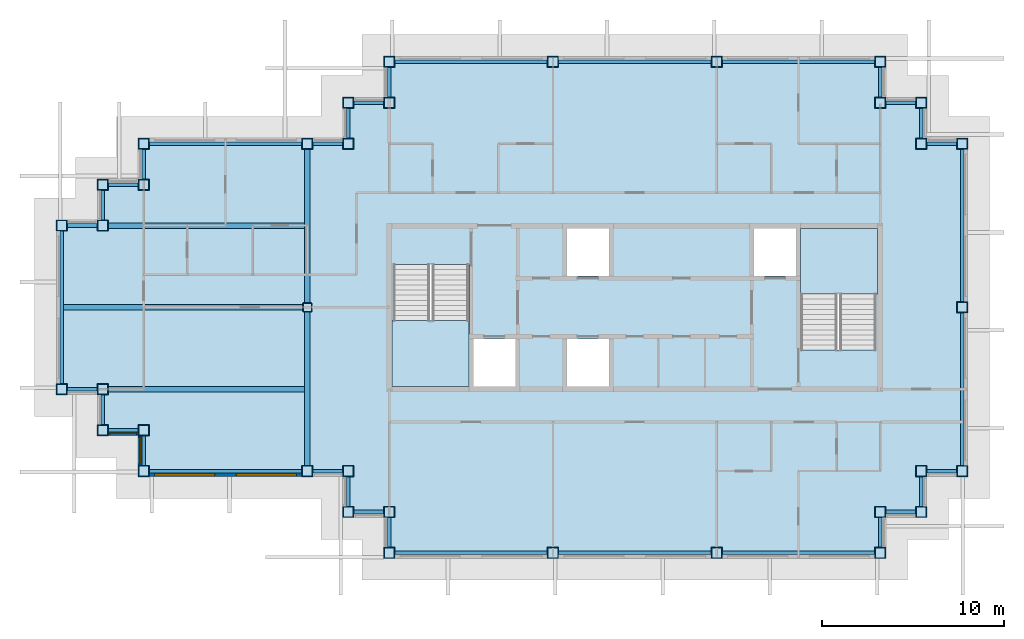
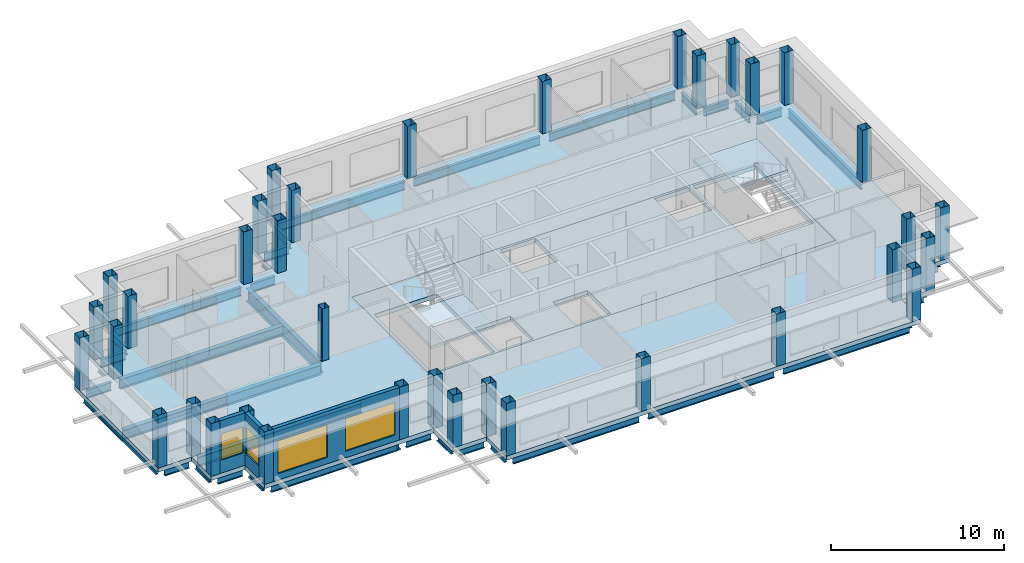
# One storey, part 1 of 11: 40 beams, 36 columns, 4 slabs, 4 windows, 3 walls, 4 openings, 2 elements without a shape of their own.
"""IFC4 building model written with IfcOpenShell, lengths in metres."""

from ifc_helpers import new_model, si_unit, direction, frame, frame_2d, origin, origin_2d, place, context, subcontext, project, spatial, polyline, rectangle, hollow_rectangle, i_section, outline, extrude, material, layer, layer_set, material_profile, profile_set, type_object, element, fill, aggregate, save


model = new_model("IFC4")

# Units and contexts
model_context = context("Model", 3, precision=1e-05, world=origin(), true_north=direction((0.0, 1.0)))
body_context = subcontext(model_context, "Body", "Model", "MODEL_VIEW")
ifc_project = project(units=[si_unit("LENGTHUNIT", "METRE"), si_unit("AREAUNIT", "SQUARE_METRE"), si_unit("VOLUMEUNIT", "CUBIC_METRE"), si_unit("PLANEANGLEUNIT", "RADIAN"), si_unit("MASSUNIT", "GRAM", prefix="KILO")], contexts=[model_context])

# Site, building, storey
site_placement = place(None, origin())
site = spatial("IfcSite", under=ifc_project, at=site_placement, CompositionType="ELEMENT")
building_placement = place(site_placement, origin())
building = spatial("IfcBuilding", under=site, at=building_placement, Name="Caravel Reach Hotel and Residences", CompositionType="ELEMENT")
storey_placement = place(building_placement, frame((0.0, 0.0, 263.800048828125)))
storey = spatial("IfcBuildingStorey", under=building, at=storey_placement, Name="L67", CompositionType="ELEMENT", Elevation=263.800048828125)

# Columns
ifc_material_1 = material(Name="Concrete-filled steel tube Q390B with Concrete C60 infill", Category="concrete")
ifc_material_profile_1 = material_profile(ifc_material_1, hollow_rectangle(XDim=0.5, YDim=0.5, WallThickness=0.01611328125, InnerFilletRadius=0.031982421875, OuterFilletRadius=0.048095703125, at=origin_2d()), Name="RHS 500x500x16")
ifc_profile_set_1 = profile_set([ifc_material_profile_1], Name="Concrete-filled steel tube Q390B with Concrete C60 infill")
column_type_1 = type_object("IfcColumnType", Name="CFT 500x500 Q390B C60", PredefinedType="COLUMN", material=ifc_profile_set_1)
column_placement = place(storey_placement, frame((13.5, 27.0, 0.0), z_axis=(0.0, 0.0, 1.0), x_axis=(1.0, 0.0, 0.0)))
element("IfcColumn", 1, at=column_placement, inside=storey, type_object=column_type_1, Name="C9 column", PredefinedType="COLUMN", context=body_context, shape_type="SweptSolid", body=[
    extrude(hollow_rectangle(XDim=0.5, YDim=0.5, WallThickness=0.01611328125, InnerFilletRadius=0.031982421875, OuterFilletRadius=0.048095703125, at=origin_2d()), origin(), (0.0, 0.0, 1.0), 3.699951171875),
])
ifc_material_2 = material(Name="Concrete-filled steel tube Q390B with Concrete C60 infill", Category="concrete")
ifc_material_profile_2 = material_profile(ifc_material_2, hollow_rectangle(XDim=0.60009765625, YDim=0.60009765625, WallThickness=0.02001953125, at=origin_2d()), Name="RHS 600x600x20")
ifc_profile_set_2 = profile_set([ifc_material_profile_2], Name="Concrete-filled steel tube Q390B with Concrete C60 infill")
column_type_2 = type_object("IfcColumnType", Name="CFT 600x600 Q390B C60", PredefinedType="COLUMN", material=ifc_profile_set_2)
for number, where, z_axis, x_axis, name in (
    (2, (15.75, 18.0, 0.0), (0.0, 0.0, 1.0), (1.0, 0.0, 0.0), "C8 column"),
    (3, (15.75, 15.75, 0.0), (0.0, 0.0, 1.0), (1.0, 0.0, 0.0), "C8 column"),
    (4, (18.0, 15.75, 0.0), (0.0, 0.0, 1.0), (1.0, 0.0, 0.0), "C8 column"),
    (5, (18.0, 13.5, 0.0), (0.0, 0.0, 1.0), (1.0, 0.0, 0.0), "C8 column"),
    (6, (27.0, 13.5, 0.0), (0.0, 0.0, 1.0), (1.0, 0.0, 0.0), "C8 column"),
    (7, (36.0, 13.5, 0.0), (0.0, 0.0, 1.0), (1.0, 0.0, 0.0), "C8 column"),
    (8, (45.0, 13.5, 0.0), (0.0, 0.0, 1.0), (1.0, 0.0, 0.0), "C8 column"),
    (9, (45.0, 15.75, 0.0), (0.0, 0.0, 1.0), (1.0, 0.0, 0.0), "C8 column"),
    (10, (47.25, 15.75, 0.0), (0.0, 0.0, 1.0), (1.0, 0.0, 0.0), "C8 column"),
    (11, (47.25, 18.0, 0.0), (0.0, 0.0, 1.0), (1.0, 0.0, 0.0), "C8 column"),
    (12, (49.5, 18.0, 0.0), (0.0, 0.0, 1.0), (1.0, 0.0, 0.0), "C8 column"),
    (13, (49.5, 27.0, 0.0), (0.0, 0.0, 1.0), (1.0, 0.0, 0.0), "C8 column"),
    (14, (49.5, 36.0, 0.0), (0.0, 0.0, 1.0), (1.0, 0.0, 0.0), "C8 column"),
    (15, (47.25, 36.0, 0.0), (0.0, 0.0, 1.0), (1.0, 0.0, 0.0), "C8 column"),
    (16, (47.25, 38.25, 0.0), (0.0, 0.0, 1.0), (1.0, 0.0, 0.0), "C8 column"),
    (17, (45.0, 38.25, 0.0), (0.0, 0.0, 1.0), (1.0, 0.0, 0.0), "C8 column"),
    (18, (45.0, 40.5, 0.0), (0.0, 0.0, 1.0), (1.0, 0.0, 0.0), "C8 column"),
    (19, (36.0, 40.5, 0.0), (0.0, 0.0, 1.0), (1.0, 0.0, 0.0), "C8 column"),
    (20, (27.0, 40.5, 0.0), (0.0, 0.0, 1.0), (1.0, 0.0, 0.0), "C8 column"),
    (21, (18.0, 40.5, 0.0), (0.0, 0.0, 1.0), (1.0, 0.0, 0.0), "C8 column"),
    (22, (18.0, 38.25, 0.0), (0.0, 0.0, 1.0), (1.0, 0.0, 0.0), "C8 column"),
    (23, (15.75, 38.25, 0.0), (0.0, 0.0, 1.0), (1.0, 0.0, 0.0), "C8 column"),
    (24, (15.75, 36.0, 0.0), (0.0, 0.0, 1.0), (1.0, 0.0, 0.0), "C8 column"),
    (25, (13.5, 36.0, 0.0), (0.0, 0.0, 1.0), (1.0, 0.0, 0.0), "C8 column"),
    (26, (4.5, 36.0, 0.0), (0.0, 0.0, 1.0), (1.0, 0.0, 0.0), "C8 column"),
    (27, (4.5, 33.75, 0.0), (0.0, 0.0, 1.0), (1.0, 0.0, 0.0), "C8 column"),
    (28, (2.25, 33.75, 0.0), (0.0, 0.0, 1.0), (1.0, 0.0, 0.0), "C8 column"),
    (29, (2.25, 31.5, 0.0), (0.0, 0.0, 1.0), (1.0, 0.0, 0.0), "C8 column"),
    (30, (0.0, 31.5, 0.0), (0.0, 0.0, 1.0), (1.0, 0.0, 0.0), "C8 column"),
    (31, (0.0, 22.5, 0.0), (0.0, 0.0, 1.0), (1.0, 0.0, 0.0), "C8 column"),
    (32, (2.25, 22.5, 0.0), (0.0, 0.0, 1.0), (1.0, 0.0, 0.0), "C8 column"),
    (33, (2.25, 20.25, 0.0), (0.0, 0.0, 1.0), (1.0, 0.0, 0.0), "C8 column"),
    (34, (4.5, 20.25, 0.0), (0.0, 0.0, 1.0), (1.0, 0.0, 0.0), "C8 column"),
    (35, (4.5, 18.0, 0.0), (0.0, 0.0, 1.0), (1.0, 0.0, 0.0), "C8 column"),
    (36, (13.5, 18.0, 0.0), (0.0, 0.0, 1.0), (1.0, 0.0, 0.0), "C8 column"),
):
    element("IfcColumn", number, at=place(storey_placement, frame(where, z_axis=z_axis, x_axis=x_axis)), inside=storey, type_object=column_type_2, Name=name, PredefinedType="COLUMN", context=body_context, shape_type="SweptSolid", body=[
        extrude(hollow_rectangle(XDim=0.60009765625, YDim=0.60009765625, WallThickness=0.02001953125, at=origin_2d()), origin(), (0.0, 0.0, 1.0), 3.699951171875),
    ])

# Beams
ifc_material_3 = material(Name="Structural steel Q355B", Category="steel")
ifc_material_profile_3 = material_profile(ifc_material_3, i_section(OverallWidth=0.300048828125, OverallDepth=0.699951171875, WebThickness=0.012939453125, FlangeThickness=0.02392578125, FilletRadius=0.01806640625, at=origin_2d()), Name="HN 700x300x13x24")
ifc_profile_set_3 = profile_set([ifc_material_profile_3], Name="Structural steel Q355B")
beam_type_1 = type_object("IfcBeamType", Name="Beam HN 700x300x13x24", PredefinedType="BEAM", material=ifc_profile_set_3)
beam_1_placement = place(storey_placement, frame((13.39990234375, 22.5, -0.650146484375), z_axis=(-1.0, 0.0, 0.0), x_axis=(0.0, -1.0, 0.0)))
element("IfcBeam", 37, at=beam_1_placement, inside=storey, type_object=beam_type_1, Name="B2 HN 700x300x13x24", PredefinedType="BEAM", context=body_context, shape_type="SweptSolid", body=[
    extrude(i_section(OverallWidth=0.300048828125, OverallDepth=0.699951171875, WebThickness=0.012939453125, FlangeThickness=0.02392578125, FilletRadius=0.01806640625, at=origin_2d()), origin(), (0.0, 0.0, 1.0), 10.89990234375),
])
beam_2_placement = place(storey_placement, frame((13.300048828125, 27.0, -0.650146484375), z_axis=(-1.0, 0.0, 0.0), x_axis=(0.0, -1.0, 0.0)))
element("IfcBeam", 38, at=beam_2_placement, inside=storey, type_object=beam_type_1, Name="B2 HN 700x300x13x24", PredefinedType="BEAM", context=body_context, shape_type="SweptSolid", body=[
    extrude(i_section(OverallWidth=0.300048828125, OverallDepth=0.699951171875, WebThickness=0.012939453125, FlangeThickness=0.02392578125, FilletRadius=0.01806640625, at=origin_2d()), origin(), (0.0, 0.0, 1.0), 13.199951171875),
])
beam_3_placement = place(storey_placement, frame((13.39990234375, 31.5, -0.650146484375), z_axis=(-1.0, 0.0, 0.0), x_axis=(0.0, -1.0, 0.0)))
element("IfcBeam", 39, at=beam_3_placement, inside=storey, type_object=beam_type_1, Name="B2 HN 700x300x13x24", PredefinedType="BEAM", context=body_context, shape_type="SweptSolid", body=[
    extrude(i_section(OverallWidth=0.300048828125, OverallDepth=0.699951171875, WebThickness=0.012939453125, FlangeThickness=0.02392578125, FilletRadius=0.01806640625, at=origin_2d()), origin(), (0.0, 0.0, 1.0), 10.89990234375),
])
ifc_material_4 = material(Name="Structural steel Q355B", Category="steel")
ifc_material_profile_4 = material_profile(ifc_material_4, i_section(OverallWidth=0.300048828125, OverallDepth=0.89990234375, WebThickness=0.01611328125, FlangeThickness=0.028076171875, FilletRadius=0.01806640625, at=origin_2d()), Name="HN 900x300x16x28")
ifc_profile_set_4 = profile_set([ifc_material_profile_4], Name="Structural steel Q355B")
beam_type_2 = type_object("IfcBeamType", Name="Beam HN 900x300x16x28", PredefinedType="BEAM", material=ifc_profile_set_4)
for number, where, z_axis, x_axis, name in (
    (40, (13.5, 18.300048828125, -0.75), (0.0, 1.0, 0.0), (-1.0, 0.0, 0.0), "B3 HN 900x300x16x28"),
    (41, (13.5, 27.25, -0.75), (0.0, 1.0, 0.0), (-1.0, 0.0, 0.0), "B3 HN 900x300x16x28"),
):
    element("IfcBeam", number, at=place(storey_placement, frame(where, z_axis=z_axis, x_axis=x_axis)), inside=storey, type_object=beam_type_2, Name=name, PredefinedType="BEAM", context=body_context, shape_type="SweptSolid", body=[
        extrude(i_section(OverallWidth=0.300048828125, OverallDepth=0.89990234375, WebThickness=0.01611328125, FlangeThickness=0.028076171875, FilletRadius=0.01806640625, at=origin_2d()), origin(), (0.0, 0.0, 1.0), 8.449951171875),
    ])
ifc_material_5 = material(Name="Structural steel Q355B", Category="steel")
ifc_material_profile_5 = material_profile(ifc_material_5, i_section(OverallWidth=0.199951171875, OverallDepth=0.60009765625, WebThickness=0.010986328125, FlangeThickness=0.01708984375, FilletRadius=0.012939453125, at=origin_2d()), Name="HN 600x200x11x17")
ifc_profile_set_5 = profile_set([ifc_material_profile_5], Name="Structural steel Q355B")
beam_type_3 = type_object("IfcBeamType", Name="Spandrel beam HN 600x200x11x17", PredefinedType="SPANDREL", material=ifc_profile_set_5)
for number, where, z_axis, x_axis, name in (
    (42, (15.75, 17.699951171875, -0.60009765625), (0.0, -1.0, 0.0), (1.0, 0.0, 0.0), "SP1 HN 600x200x11x17"),
    (43, (16.050048828125, 15.75, -0.60009765625), (1.0, 0.0, 0.0), (0.0, 1.0, 0.0), "SP1 HN 600x200x11x17"),
    (44, (18.0, 15.449951171875, -0.60009765625), (0.0, -1.0, 0.0), (1.0, 0.0, 0.0), "SP1 HN 600x200x11x17"),
):
    element("IfcBeam", number, at=place(storey_placement, frame(where, z_axis=z_axis, x_axis=x_axis)), inside=storey, type_object=beam_type_3, Name=name, PredefinedType="SPANDREL", context=body_context, shape_type="SweptSolid", body=[
        extrude(i_section(OverallWidth=0.199951171875, OverallDepth=0.60009765625, WebThickness=0.010986328125, FlangeThickness=0.01708984375, FilletRadius=0.012939453125, at=origin_2d()), origin(), (0.0, 0.0, 1.0), 1.64990234375),
    ])
for number, where, z_axis, x_axis, name in (
    (45, (18.300048828125, 13.5, -0.60009765625), (1.0, 0.0, 0.0), (0.0, 1.0, 0.0), "SP1 HN 600x200x11x17"),
    (46, (27.300048828125, 13.5, -0.60009765625), (1.0, 0.0, 0.0), (0.0, 1.0, 0.0), "SP1 HN 600x200x11x17"),
    (47, (36.300048828125, 13.5, -0.60009765625), (1.0, 0.0, 0.0), (0.0, 1.0, 0.0), "SP1 HN 600x200x11x17"),
):
    element("IfcBeam", number, at=place(storey_placement, frame(where, z_axis=z_axis, x_axis=x_axis)), inside=storey, type_object=beam_type_3, Name=name, PredefinedType="SPANDREL", context=body_context, shape_type="SweptSolid", body=[
        extrude(i_section(OverallWidth=0.199951171875, OverallDepth=0.60009765625, WebThickness=0.010986328125, FlangeThickness=0.01708984375, FilletRadius=0.012939453125, at=origin_2d()), origin(), (0.0, 0.0, 1.0), 8.39990234375),
    ])
for number, where, z_axis, x_axis, name in (
    (48, (45.0, 13.800048828125, -0.60009765625), (0.0, 1.0, 0.0), (-1.0, 0.0, 0.0), "SP1 HN 600x200x11x17"),
    (49, (45.300048828125, 15.75, -0.60009765625), (1.0, 0.0, 0.0), (0.0, 1.0, 0.0), "SP1 HN 600x200x11x17"),
    (50, (47.25, 16.050048828125, -0.60009765625), (0.0, 1.0, 0.0), (-1.0, 0.0, 0.0), "SP1 HN 600x200x11x17"),
    (51, (47.550048828125, 18.0, -0.60009765625), (1.0, 0.0, 0.0), (0.0, 1.0, 0.0), "SP1 HN 600x200x11x17"),
):
    element("IfcBeam", number, at=place(storey_placement, frame(where, z_axis=z_axis, x_axis=x_axis)), inside=storey, type_object=beam_type_3, Name=name, PredefinedType="SPANDREL", context=body_context, shape_type="SweptSolid", body=[
        extrude(i_section(OverallWidth=0.199951171875, OverallDepth=0.60009765625, WebThickness=0.010986328125, FlangeThickness=0.01708984375, FilletRadius=0.012939453125, at=origin_2d()), origin(), (0.0, 0.0, 1.0), 1.64990234375),
    ])
for number, where, z_axis, x_axis, name in (
    (52, (49.5, 18.300048828125, -0.60009765625), (0.0, 1.0, 0.0), (-1.0, 0.0, 0.0), "SP1 HN 600x200x11x17"),
    (53, (49.5, 27.300048828125, -0.60009765625), (0.0, 1.0, 0.0), (-1.0, 0.0, 0.0), "SP1 HN 600x200x11x17"),
):
    element("IfcBeam", number, at=place(storey_placement, frame(where, z_axis=z_axis, x_axis=x_axis)), inside=storey, type_object=beam_type_3, Name=name, PredefinedType="SPANDREL", context=body_context, shape_type="SweptSolid", body=[
        extrude(i_section(OverallWidth=0.199951171875, OverallDepth=0.60009765625, WebThickness=0.010986328125, FlangeThickness=0.01708984375, FilletRadius=0.012939453125, at=origin_2d()), origin(), (0.0, 0.0, 1.0), 8.39990234375),
    ])
for number, where, z_axis, x_axis, name in (
    (54, (49.199951171875, 36.0, -0.60009765625), (-1.0, 0.0, 0.0), (0.0, -1.0, 0.0), "SP1 HN 600x200x11x17"),
    (55, (47.25, 36.300048828125, -0.60009765625), (0.0, 1.0, 0.0), (-1.0, 0.0, 0.0), "SP1 HN 600x200x11x17"),
    (56, (46.949951171875, 38.25, -0.60009765625), (-1.0, 0.0, 0.0), (0.0, -1.0, 0.0), "SP1 HN 600x200x11x17"),
    (57, (45.0, 38.550048828125, -0.60009765625), (0.0, 1.0, 0.0), (-1.0, 0.0, 0.0), "SP1 HN 600x200x11x17"),
):
    element("IfcBeam", number, at=place(storey_placement, frame(where, z_axis=z_axis, x_axis=x_axis)), inside=storey, type_object=beam_type_3, Name=name, PredefinedType="SPANDREL", context=body_context, shape_type="SweptSolid", body=[
        extrude(i_section(OverallWidth=0.199951171875, OverallDepth=0.60009765625, WebThickness=0.010986328125, FlangeThickness=0.01708984375, FilletRadius=0.012939453125, at=origin_2d()), origin(), (0.0, 0.0, 1.0), 1.64990234375),
    ])
for number, where, z_axis, x_axis, name in (
    (58, (44.699951171875, 40.5, -0.60009765625), (-1.0, 0.0, 0.0), (0.0, -1.0, 0.0), "SP1 HN 600x200x11x17"),
    (59, (35.699951171875, 40.5, -0.60009765625), (-1.0, 0.0, 0.0), (0.0, -1.0, 0.0), "SP1 HN 600x200x11x17"),
    (60, (26.699951171875, 40.5, -0.60009765625), (-1.0, 0.0, 0.0), (0.0, -1.0, 0.0), "SP1 HN 600x200x11x17"),
):
    element("IfcBeam", number, at=place(storey_placement, frame(where, z_axis=z_axis, x_axis=x_axis)), inside=storey, type_object=beam_type_3, Name=name, PredefinedType="SPANDREL", context=body_context, shape_type="SweptSolid", body=[
        extrude(i_section(OverallWidth=0.199951171875, OverallDepth=0.60009765625, WebThickness=0.010986328125, FlangeThickness=0.01708984375, FilletRadius=0.012939453125, at=origin_2d()), origin(), (0.0, 0.0, 1.0), 8.39990234375),
    ])
for number, where, z_axis, x_axis, name in (
    (61, (18.0, 40.199951171875, -0.60009765625), (0.0, -1.0, 0.0), (1.0, 0.0, 0.0), "SP1 HN 600x200x11x17"),
    (62, (17.699951171875, 38.25, -0.60009765625), (-1.0, 0.0, 0.0), (0.0, -1.0, 0.0), "SP1 HN 600x200x11x17"),
    (63, (15.75, 37.949951171875, -0.60009765625), (0.0, -1.0, 0.0), (1.0, 0.0, 0.0), "SP1 HN 600x200x11x17"),
    (64, (15.449951171875, 36.0, -0.60009765625), (-1.0, 0.0, 0.0), (0.0, -1.0, 0.0), "SP1 HN 600x200x11x17"),
):
    element("IfcBeam", number, at=place(storey_placement, frame(where, z_axis=z_axis, x_axis=x_axis)), inside=storey, type_object=beam_type_3, Name=name, PredefinedType="SPANDREL", context=body_context, shape_type="SweptSolid", body=[
        extrude(i_section(OverallWidth=0.199951171875, OverallDepth=0.60009765625, WebThickness=0.010986328125, FlangeThickness=0.01708984375, FilletRadius=0.012939453125, at=origin_2d()), origin(), (0.0, 0.0, 1.0), 1.64990234375),
    ])
beam_4_placement = place(storey_placement, frame((13.199951171875, 36.0, -0.60009765625), z_axis=(-1.0, 0.0, 0.0), x_axis=(0.0, -1.0, 0.0)))
element("IfcBeam", 65, at=beam_4_placement, inside=storey, type_object=beam_type_3, Name="SP1 HN 600x200x11x17", PredefinedType="SPANDREL", context=body_context, shape_type="SweptSolid", body=[
    extrude(i_section(OverallWidth=0.199951171875, OverallDepth=0.60009765625, WebThickness=0.010986328125, FlangeThickness=0.01708984375, FilletRadius=0.012939453125, at=origin_2d()), origin(), (0.0, 0.0, 1.0), 8.39990234375),
])
for number, where, z_axis, x_axis, name in (
    (66, (4.5, 35.699951171875, -0.60009765625), (0.0, -1.0, 0.0), (1.0, 0.0, 0.0), "SP1 HN 600x200x11x17"),
    (67, (4.199951171875, 33.75, -0.60009765625), (-1.0, 0.0, 0.0), (0.0, -1.0, 0.0), "SP1 HN 600x200x11x17"),
    (68, (2.25, 33.449951171875, -0.60009765625), (0.0, -1.0, 0.0), (1.0, 0.0, 0.0), "SP1 HN 600x200x11x17"),
    (69, (1.949951171875, 31.5, -0.60009765625), (-1.0, 0.0, 0.0), (0.0, -1.0, 0.0), "SP1 HN 600x200x11x17"),
):
    element("IfcBeam", number, at=place(storey_placement, frame(where, z_axis=z_axis, x_axis=x_axis)), inside=storey, type_object=beam_type_3, Name=name, PredefinedType="SPANDREL", context=body_context, shape_type="SweptSolid", body=[
        extrude(i_section(OverallWidth=0.199951171875, OverallDepth=0.60009765625, WebThickness=0.010986328125, FlangeThickness=0.01708984375, FilletRadius=0.012939453125, at=origin_2d()), origin(), (0.0, 0.0, 1.0), 1.64990234375),
    ])
beam_5_placement = place(storey_placement, frame((0.0, 31.199951171875, -0.60009765625), z_axis=(0.0, -1.0, 0.0), x_axis=(1.0, 0.0, 0.0)))
element("IfcBeam", 70, at=beam_5_placement, inside=storey, type_object=beam_type_3, Name="SP1 HN 600x200x11x17", PredefinedType="SPANDREL", context=body_context, shape_type="SweptSolid", body=[
    extrude(i_section(OverallWidth=0.199951171875, OverallDepth=0.60009765625, WebThickness=0.010986328125, FlangeThickness=0.01708984375, FilletRadius=0.012939453125, at=origin_2d()), origin(), (0.0, 0.0, 1.0), 8.39990234375),
])
for number, where, z_axis, x_axis, name in (
    (71, (0.300048828125, 22.5, -0.60009765625), (1.0, 0.0, 0.0), (0.0, 1.0, 0.0), "SP1 HN 600x200x11x17"),
    (72, (2.25, 22.199951171875, -0.60009765625), (0.0, -1.0, 0.0), (1.0, 0.0, 0.0), "SP1 HN 600x200x11x17"),
    (73, (2.550048828125, 20.25, -0.60009765625), (1.0, 0.0, 0.0), (0.0, 1.0, 0.0), "SP1 HN 600x200x11x17"),
    (74, (4.5, 19.949951171875, -0.60009765625), (0.0, -1.0, 0.0), (1.0, 0.0, 0.0), "SP1 HN 600x200x11x17"),
):
    element("IfcBeam", number, at=place(storey_placement, frame(where, z_axis=z_axis, x_axis=x_axis)), inside=storey, type_object=beam_type_3, Name=name, PredefinedType="SPANDREL", context=body_context, shape_type="SweptSolid", body=[
        extrude(i_section(OverallWidth=0.199951171875, OverallDepth=0.60009765625, WebThickness=0.010986328125, FlangeThickness=0.01708984375, FilletRadius=0.012939453125, at=origin_2d()), origin(), (0.0, 0.0, 1.0), 1.64990234375),
    ])
beam_6_placement = place(storey_placement, frame((4.800048828125, 18.0, -0.60009765625), z_axis=(1.0, 0.0, 0.0), x_axis=(0.0, 1.0, 0.0)))
element("IfcBeam", 75, at=beam_6_placement, inside=storey, type_object=beam_type_3, Name="SP1 HN 600x200x11x17", PredefinedType="SPANDREL", context=body_context, shape_type="SweptSolid", body=[
    extrude(i_section(OverallWidth=0.199951171875, OverallDepth=0.60009765625, WebThickness=0.010986328125, FlangeThickness=0.01708984375, FilletRadius=0.012939453125, at=origin_2d()), origin(), (0.0, 0.0, 1.0), 8.39990234375),
])
beam_7_placement = place(storey_placement, frame((13.800048828125, 18.0, -0.60009765625), z_axis=(1.0, 0.0, 0.0), x_axis=(0.0, 1.0, 0.0)))
element("IfcBeam", 76, at=beam_7_placement, inside=storey, type_object=beam_type_3, Name="SP1 HN 600x200x11x17", PredefinedType="SPANDREL", context=body_context, shape_type="SweptSolid", body=[
    extrude(i_section(OverallWidth=0.199951171875, OverallDepth=0.60009765625, WebThickness=0.010986328125, FlangeThickness=0.01708984375, FilletRadius=0.012939453125, at=origin_2d()), origin(), (0.0, 0.0, 1.0), 1.64990234375),
])

# Slab
ifc_material_6 = material(Name="Concrete C40", Category="concrete")
ifc_layer_1 = layer(ifc_material_6, 0.300048828125)
ifc_layer_set_1 = layer_set([ifc_layer_1], Name="Core floor slab 300 mm")
slab_type_1 = type_object("IfcSlabType", Name="Core floor slab 300 mm", PredefinedType="FLOOR", material=ifc_layer_set_1)
slab_1_placement = place(storey_placement, frame((0.0, 0.0, -0.300048828125)))
element("IfcSlab", 77, at=slab_1_placement, inside=storey, type_object=slab_type_1, Name="L67 core floor", PredefinedType="FLOOR", context=body_context, shape_type="SweptSolid", body=[
    extrude(outline(polyline([(18.0, 31.5), (45.0, 31.5), (45.0, 22.5), (18.0, 22.5), (18.0, 31.5)]), holes=[polyline([(22.625, 22.64990234375), (24.9462890625, 22.64990234375), (24.9462890625, 25.27490234375), (22.625, 25.27490234375), (22.625, 22.64990234375)]), polyline([(27.767822265625, 25.27490234375), (27.767822265625, 22.64990234375), (30.08935546875, 22.64990234375), (30.08935546875, 25.27490234375), (27.767822265625, 25.27490234375)]), polyline([(22.375, 22.64990234375), (22.375, 29.35009765625), (18.22509765625, 29.35009765625), (18.22509765625, 22.64990234375), (22.375, 22.64990234375)]), polyline([(40.625, 24.64990234375), (44.77490234375, 24.64990234375), (44.77490234375, 31.35009765625), (40.625, 31.35009765625), (40.625, 24.64990234375)]), polyline([(27.767822265625, 31.35009765625), (27.767822265625, 28.72509765625), (30.08935546875, 28.72509765625), (30.08935546875, 31.35009765625), (27.767822265625, 31.35009765625)]), polyline([(38.0537109375, 31.35009765625), (38.0537109375, 28.72509765625), (40.375, 28.72509765625), (40.375, 31.35009765625), (38.0537109375, 31.35009765625)])]), origin(), (0.0, 0.0, 1.0), 0.300048828125),
])

# Stair, slab
ifc_material_7 = material(Name="Concrete C40", Category="concrete")
stair_type = type_object("IfcStairType", Name="Core stair", PredefinedType="HALF_TURN_STAIR", material=ifc_material_7)
stair_1_placement = place(storey_placement, origin())
stair_1 = element("IfcStair", 78, at=stair_1_placement, inside=storey, type_object=stair_type, Name="L67 Exit stair A", PredefinedType="HALF_TURN_STAIR")
ifc_material_8 = material(Name="Concrete C40", Category="concrete")
ifc_layer_2 = layer(ifc_material_8, 0.199951171875)
ifc_layer_set_2 = layer_set([ifc_layer_2], Name="Core stair landing")
slab_type_2 = type_object("IfcSlabType", Name="Core stair landing", PredefinedType="LANDING", material=ifc_layer_set_2)
slab_2_placement = place(storey_placement, frame((0.0, 0.0, 1.64990234375)))
slab_2 = element("IfcSlab", 79, at=slab_2_placement, type_object=slab_type_2, Name="ST-A landing 1", PredefinedType="LANDING", context=body_context, shape_type="SweptSolid", body=[
    extrude(outline(polyline([(18.14990234375, 26.27001953125), (18.14990234375, 22.64990234375), (22.375, 22.64990234375), (22.375, 26.27001953125), (18.14990234375, 26.27001953125)])), origin(), (0.0, 0.0, 1.0), 0.199951171875),
])
aggregate(stair_1, [slab_2])

stair_2_placement = place(storey_placement, origin())
stair_2 = element("IfcStair", 80, at=stair_2_placement, inside=storey, type_object=stair_type, Name="L67 Exit stair B", PredefinedType="HALF_TURN_STAIR")
slab_3_placement = place(storey_placement, frame((0.0, 0.0, 1.64990234375)))
slab_3 = element("IfcSlab", 81, at=slab_3_placement, type_object=slab_type_2, Name="ST-B landing 1", PredefinedType="LANDING", context=body_context, shape_type="SweptSolid", body=[
    extrude(outline(polyline([(44.85009765625, 27.72998046875), (44.85009765625, 31.35009765625), (40.625, 31.35009765625), (40.625, 27.72998046875), (44.85009765625, 27.72998046875)])), origin(), (0.0, 0.0, 1.0), 0.199951171875),
])
aggregate(stair_2, [slab_3])

# Slab
ifc_material_9 = material(Name="Concrete C40 post-tensioned", Category="concrete")
ifc_layer_3 = layer(ifc_material_9, 0.300048828125)
ifc_layer_set_3 = layer_set([ifc_layer_3], Name="Floor slab 300")
slab_type_3 = type_object("IfcSlabType", Name="Floor slab 300", PredefinedType="FLOOR", material=ifc_layer_set_3)
slab_4_placement = place(storey_placement, frame((0.0, 0.0, -0.300048828125)))
element("IfcSlab", 82, at=slab_4_placement, inside=storey, type_object=slab_type_3, Name="S2 slab L67", PredefinedType="FLOOR", context=body_context, shape_type="SweptSolid", body=[
    extrude(outline(polyline([(4.199951171875, 19.949951171875), (1.949951171875, 19.949951171875), (1.949951171875, 22.199951171875), (-0.300048828125, 22.199951171875), (-0.300048828125, 31.800048828125), (1.949951171875, 31.800048828125), (1.949951171875, 34.050048828125), (4.199951171875, 34.050048828125), (4.199951171875, 36.300048828125), (15.449951171875, 36.300048828125), (15.449951171875, 38.550048828125), (17.699951171875, 38.550048828125), (17.699951171875, 40.800048828125), (45.300048828125, 40.800048828125), (45.300048828125, 38.550048828125), (47.550048828125, 38.550048828125), (47.550048828125, 36.300048828125), (49.800048828125, 36.300048828125), (49.800048828125, 17.699951171875), (47.550048828125, 17.699951171875), (47.550048828125, 15.449951171875), (45.300048828125, 15.449951171875), (45.300048828125, 13.199951171875), (17.699951171875, 13.199951171875), (17.699951171875, 15.449951171875), (15.449951171875, 15.449951171875), (15.449951171875, 17.699951171875), (4.199951171875, 17.699951171875), (4.199951171875, 19.949951171875)]), holes=[polyline([(45.0, 31.5), (18.0, 31.5), (18.0, 22.5), (45.0, 22.5), (45.0, 31.5)])]), origin(), (0.0, 0.0, 1.0), 0.300048828125),
])

# Wall, opening, window
ifc_material_10 = material(Name="Insulated rainscreen wall, aluminium cladding", Category="aluminium")
ifc_layer_4 = layer(ifc_material_10, 0.25)
ifc_layer_set_4 = layer_set([ifc_layer_4], Name="EW1 Tower rainscreen wall")
wall_type = type_object("IfcWallType", Name="EW1 Tower rainscreen wall", PredefinedType="SOLIDWALL", material=ifc_layer_set_4)
wall_1_placement = place(storey_placement, frame((2.550048828125, 20.074951171875, 0.0), z_axis=(0.0, 0.0, 1.0), x_axis=(1.0, 0.0, 0.0)))
wall_1 = element("IfcWall", 83, at=wall_1_placement, inside=storey, type_object=wall_type, Name="External wall L67 S26.1", PredefinedType="SOLIDWALL", context=body_context, shape_type="SweptSolid", body=[
    extrude(rectangle(XDim=1.64990234375, YDim=0.25, at=frame_2d((0.824951171875, 0.0))), origin(), (0.0, 0.0, 1.0), 3.699951171875),
])
opening_1_placement = place(wall_1_placement, frame((0.10009765625, 0.0, 0.89990234375)))
opening_1 = element("IfcOpeningElement", 84, at=opening_1_placement, cuts=wall_1, Name="Opening WN25", PredefinedType="OPENING", context=body_context, shape_type="SweptSolid", body=[
    extrude(rectangle(XDim=1.449951171875, YDim=1.85009765625, at=frame_2d((0.72509765625, 0.925048828125))), frame((0.0, 0.135009765625, 0.0), z_axis=(0.0, -1.0, 0.0), x_axis=(1.0, 0.0, 0.0)), (0.0, 0.0, 1.0), 0.27001953125),
])
ifc_material_11 = material(Name="Dark low-e glazing in black aluminium frame", Category="aluminium")
window_type_1 = type_object("IfcWindowType", Name="Residence bedroom window 1450 x 1850", PartitioningType="SINGLE_PANEL", PredefinedType="WINDOW", material=ifc_material_11)
window_1_placement = place(opening_1_placement, origin())
window_1 = element("IfcWindow", 85, at=window_1_placement, inside=storey, type_object=window_type_1, Name="Window L67 S26.1.1", OverallHeight=1.85009765625, OverallWidth=1.449951171875, PartitioningType="SINGLE_PANEL", PredefinedType="WINDOW", context=body_context, shape_type="SweptSolid", body=[
    extrude(rectangle(XDim=1.449951171875, YDim=1.85009765625, at=frame_2d((0.72509765625, 0.925048828125))), frame((0.0, 0.030029296875, 0.0), z_axis=(0.0, -1.0, 0.0), x_axis=(1.0, 0.0, 0.0)), (0.0, 0.0, 1.0), 0.06005859375),
])
fill(opening_1, window_1)

wall_2_placement = place(storey_placement, frame((4.324951171875, 19.949951171875, 0.0), z_axis=(0.0, 0.0, 1.0), x_axis=(0.0, -1.0, 0.0)))
wall_2 = element("IfcWall", 86, at=wall_2_placement, inside=storey, type_object=wall_type, Name="External wall L67 W27.1", PredefinedType="SOLIDWALL", context=body_context, shape_type="SweptSolid", body=[
    extrude(rectangle(XDim=1.64990234375, YDim=0.25, at=frame_2d((0.824951171875, 0.0))), origin(), (0.0, 0.0, 1.0), 3.699951171875),
])
opening_2_placement = place(wall_2_placement, frame((0.10009765625, 0.0, 0.89990234375)))
opening_2 = element("IfcOpeningElement", 87, at=opening_2_placement, cuts=wall_2, Name="Opening WN25", PredefinedType="OPENING", context=body_context, shape_type="SweptSolid", body=[
    extrude(rectangle(XDim=1.449951171875, YDim=1.85009765625, at=frame_2d((0.72509765625, 0.925048828125))), frame((0.0, 0.135009765625, 0.0), z_axis=(0.0, -1.0, 0.0), x_axis=(1.0, 0.0, 0.0)), (0.0, 0.0, 1.0), 0.27001953125),
])
window_2_placement = place(opening_2_placement, origin())
window_2 = element("IfcWindow", 88, at=window_2_placement, inside=storey, type_object=window_type_1, Name="Window L67 W27.1.1", OverallHeight=1.85009765625, OverallWidth=1.449951171875, PartitioningType="SINGLE_PANEL", PredefinedType="WINDOW", context=body_context, shape_type="SweptSolid", body=[
    extrude(rectangle(XDim=1.449951171875, YDim=1.85009765625, at=frame_2d((0.72509765625, 0.925048828125))), frame((0.0, 0.030029296875, 0.0), z_axis=(0.0, -1.0, 0.0), x_axis=(1.0, 0.0, 0.0)), (0.0, 0.0, 1.0), 0.06005859375),
])
fill(opening_2, window_2)

# Wall, openings, windows
wall_3_placement = place(storey_placement, frame((4.800048828125, 17.824951171875, 0.0), z_axis=(0.0, 0.0, 1.0), x_axis=(1.0, 0.0, 0.0)))
wall_3 = element("IfcWall", 89, at=wall_3_placement, inside=storey, type_object=wall_type, Name="External wall L67 S28.1", PredefinedType="SOLIDWALL", context=body_context, shape_type="SweptSolid", body=[
    extrude(rectangle(XDim=8.39990234375, YDim=0.25, at=frame_2d((4.199951171875, 0.0))), origin(), (0.0, 0.0, 1.0), 3.699951171875),
])
opening_3_placement = place(wall_3_placement, frame((0.300048828125, 0.0, 0.449951171875)))
opening_3 = element("IfcOpeningElement", 90, at=opening_3_placement, cuts=wall_3, Name="Opening WN15", PredefinedType="OPENING", context=body_context, shape_type="SweptSolid", body=[
    extrude(rectangle(XDim=3.300048828125, YDim=2.300048828125, at=frame_2d((1.64990234375, 1.14990234375))), frame((0.0, 0.135009765625, 0.0), z_axis=(0.0, -1.0, 0.0), x_axis=(1.0, 0.0, 0.0)), (0.0, 0.0, 1.0), 0.27001953125),
])
opening_4_placement = place(wall_3_placement, frame((4.800048828125, 0.0, 0.449951171875)))
opening_4 = element("IfcOpeningElement", 91, at=opening_4_placement, cuts=wall_3, Name="Opening WN15", PredefinedType="OPENING", context=body_context, shape_type="SweptSolid", body=[
    extrude(rectangle(XDim=3.300048828125, YDim=2.300048828125, at=frame_2d((1.64990234375, 1.14990234375))), frame((0.0, 0.135009765625, 0.0), z_axis=(0.0, -1.0, 0.0), x_axis=(1.0, 0.0, 0.0)), (0.0, 0.0, 1.0), 0.27001953125),
])
ifc_material_12 = material(Name="Dark low-e glazing in black aluminium frame", Category="aluminium")
window_type_2 = type_object("IfcWindowType", Name="Residence living window 3300 x 2300", PartitioningType="SINGLE_PANEL", PredefinedType="WINDOW", material=ifc_material_12)
window_3_placement = place(opening_3_placement, origin())
window_3 = element("IfcWindow", 92, at=window_3_placement, inside=storey, type_object=window_type_2, Name="Window L67 S28.1.1", OverallHeight=2.300048828125, OverallWidth=3.300048828125, PartitioningType="SINGLE_PANEL", PredefinedType="WINDOW", context=body_context, shape_type="SweptSolid", body=[
    extrude(rectangle(XDim=3.300048828125, YDim=2.300048828125, at=frame_2d((1.64990234375, 1.14990234375))), frame((0.0, 0.030029296875, 0.0), z_axis=(0.0, -1.0, 0.0), x_axis=(1.0, 0.0, 0.0)), (0.0, 0.0, 1.0), 0.06005859375),
])
fill(opening_3, window_3)
window_4_placement = place(opening_4_placement, origin())
window_4 = element("IfcWindow", 93, at=window_4_placement, inside=storey, type_object=window_type_2, Name="Window L67 S28.1.2", OverallHeight=2.300048828125, OverallWidth=3.300048828125, PartitioningType="SINGLE_PANEL", PredefinedType="WINDOW", context=body_context, shape_type="SweptSolid", body=[
    extrude(rectangle(XDim=3.300048828125, YDim=2.300048828125, at=frame_2d((1.64990234375, 1.14990234375))), frame((0.0, 0.030029296875, 0.0), z_axis=(0.0, -1.0, 0.0), x_axis=(1.0, 0.0, 0.0)), (0.0, 0.0, 1.0), 0.06005859375),
])
fill(opening_4, window_4)

save(model, "model.ifc")
